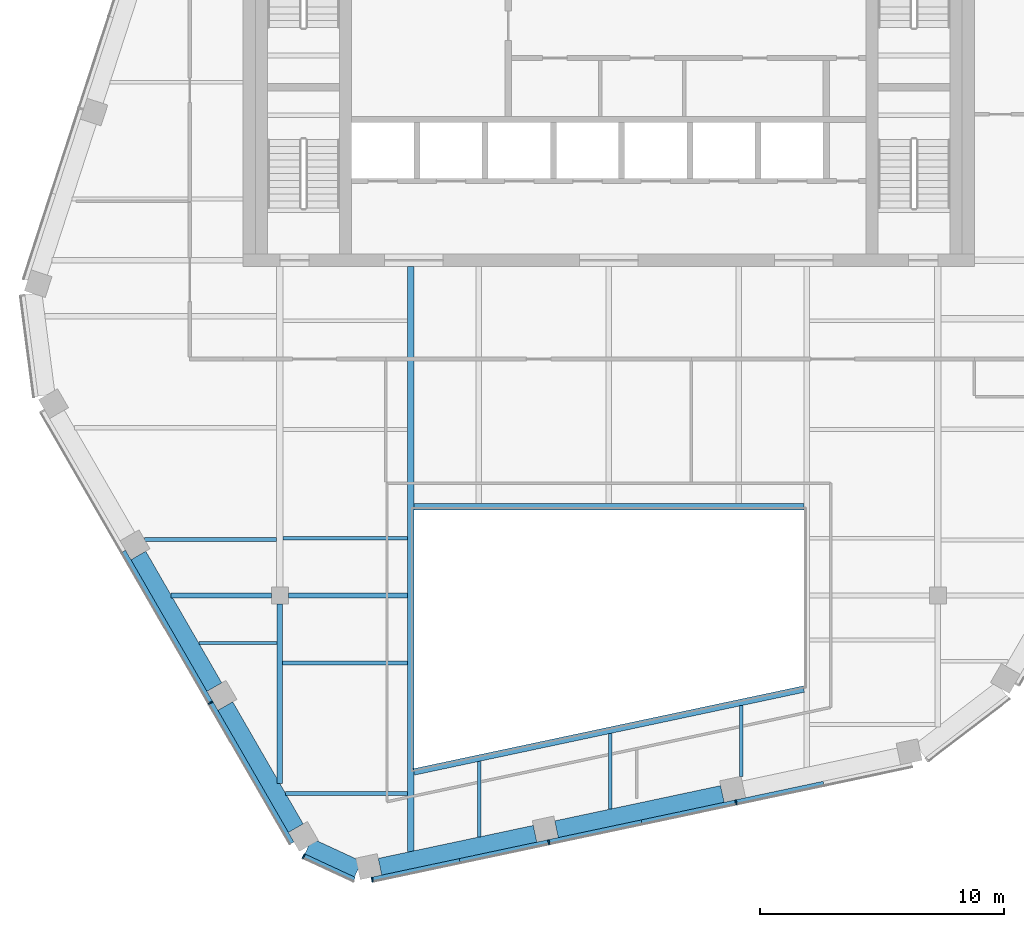
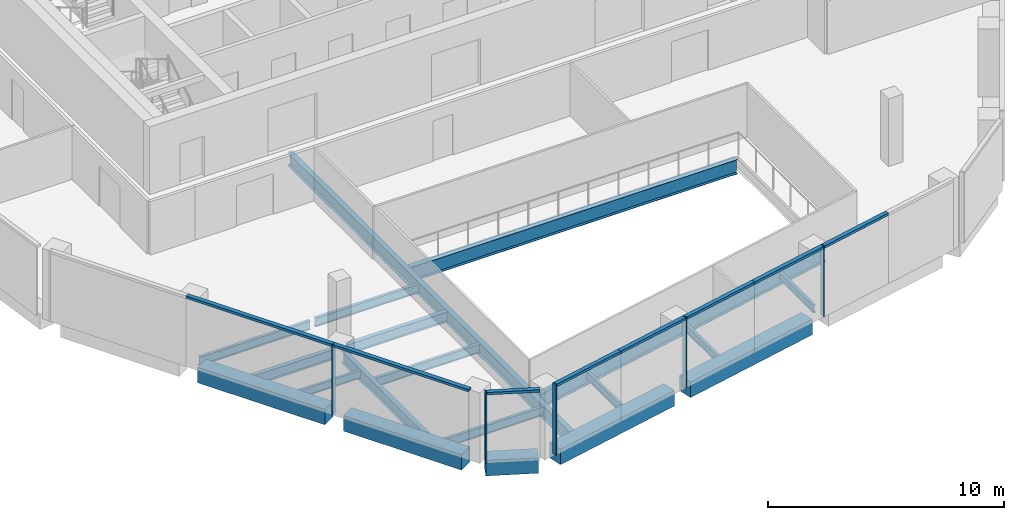
# One storey, part 2 of 15: 19 beams, 13 members, 3 elements without a shape of their own.
"""IFC4 building model written with IfcOpenShell, lengths in metres."""

from ifc_helpers import new_model, si_unit, direction, frame, origin, origin_2d, place, context, subcontext, project, spatial, rectangle, i_section, extrude, material, layer, layer_set, material_profile, profile_set, type_object, element, aggregate, save


model = new_model("IFC4")

# Units and contexts
model_context = context("Model", 3, precision=1e-05, world=origin(), true_north=direction((0.0, 1.0)))
body_context = subcontext(model_context, "Body", "Model", "MODEL_VIEW")
ifc_project = project(units=[si_unit("LENGTHUNIT", "METRE"), si_unit("AREAUNIT", "SQUARE_METRE"), si_unit("VOLUMEUNIT", "CUBIC_METRE"), si_unit("PLANEANGLEUNIT", "RADIAN"), si_unit("MASSUNIT", "GRAM", prefix="KILO")], contexts=[model_context])

# Site, building, storey
site_placement = place(None, origin())
site = spatial("IfcSite", under=ifc_project, at=site_placement, CompositionType="ELEMENT")
building_placement = place(site_placement, origin())
building = spatial("IfcBuilding", under=site, at=building_placement, Name="Isthmus Gate Tower", CompositionType="ELEMENT")
storey_placement = place(building_placement, frame((0.0, 0.0, 275.550048828125)))
storey = spatial("IfcBuildingStorey", under=building, at=storey_placement, Name="L70", CompositionType="ELEMENT", Elevation=275.550048828125)

# Curtain wall, member
ifc_material_1 = material(Name="Aluminium, pale champagne anodised", Category="aluminium")
ifc_layer = layer(ifc_material_1, 0.199951171875)
ifc_layer_set = layer_set([ifc_layer], Name="CW-1 UNITISED CURTAIN WALL 200 DEEP")
curtain_wall_type = type_object("IfcCurtainWallType", Name="CW-1 UNITISED CURTAIN WALL 200 DEEP", PredefinedType="NOTDEFINED", material=ifc_layer_set)
curtain_wall_1_placement = place(storey_placement, origin())
curtain_wall_1 = element("IfcCurtainWall", 1, at=curtain_wall_1_placement, inside=storey, type_object=curtain_wall_type, Name="CW-1 SW L70", PredefinedType="NOTDEFINED")
ifc_material_2 = material(Name="Aluminium, pale champagne anodised", Category="aluminium")
ifc_material_profile_1 = material_profile(ifc_material_2, rectangle(XDim=0.06005859375, YDim=0.199951171875, at=origin_2d()), Name="60x200")
ifc_profile_set_1 = profile_set([ifc_material_profile_1], Name="Aluminium, pale champagne anodised")
member_type_1 = type_object("IfcMemberType", Name="CW-1 MULLION 60 X 200", PredefinedType="MULLION", material=ifc_profile_set_1)
member_1_placement = place(storey_placement, frame((-16.33544921875, -17.90625, 0.0), z_axis=(0.0, 0.0, 1.0), x_axis=(0.5, -0.866025403784, 0.0)))
member_1 = element("IfcMember", 2, at=member_1_placement, type_object=member_type_1, Name="CW-1 mullion", PredefinedType="MULLION", context=body_context, shape_type="SweptSolid", body=[
    extrude(rectangle(XDim=0.06005859375, YDim=0.199951171875, at=origin_2d()), origin(), (0.0, 0.0, 1.0), 3.64990234375),
])

curtain_wall_2_placement = place(storey_placement, origin())
curtain_wall_2 = element("IfcCurtainWall", 3, at=curtain_wall_2_placement, inside=storey, type_object=curtain_wall_type, Name="CW-1 SW-S L70", PredefinedType="NOTDEFINED")
member_2_placement = place(storey_placement, frame((-12.519775390625, -24.201171875, 0.0), z_axis=(0.0, 0.0, 1.0), x_axis=(0.907256261367, -0.420578264073, 0.0)))
member_2 = element("IfcMember", 4, at=member_2_placement, type_object=member_type_1, Name="CW-1 mullion", PredefinedType="MULLION", context=body_context, shape_type="SweptSolid", body=[
    extrude(rectangle(XDim=0.06005859375, YDim=0.199951171875, at=origin_2d()), origin(), (0.0, 0.0, 1.0), 3.64990234375),
])

# Curtain wall, members
curtain_wall_3_placement = place(storey_placement, origin())
curtain_wall_3 = element("IfcCurtainWall", 5, at=curtain_wall_3_placement, inside=storey, type_object=curtain_wall_type, Name="CW-1 S L70", PredefinedType="NOTDEFINED")
member_3_placement = place(storey_placement, frame((-9.70703125, -25.16552734375, 0.0), z_axis=(0.0, 0.0, 1.0), x_axis=(0.978147600734, 0.207911690818, 0.0)))
member_3 = element("IfcMember", 6, at=member_3_placement, type_object=member_type_1, Name="CW-1 mullion", PredefinedType="MULLION", context=body_context, shape_type="SweptSolid", body=[
    extrude(rectangle(XDim=0.06005859375, YDim=0.199951171875, at=origin_2d()), origin(), (0.0, 0.0, 1.0), 3.64990234375),
])
member_4_placement = place(storey_placement, frame((-2.462158203125, -23.62548828125, 0.0), z_axis=(0.0, 0.0, 1.0), x_axis=(0.978147600734, 0.207911690818, 0.0)))
member_4 = element("IfcMember", 7, at=member_4_placement, type_object=member_type_1, Name="CW-1 mullion", PredefinedType="MULLION", context=body_context, shape_type="SweptSolid", body=[
    extrude(rectangle(XDim=0.06005859375, YDim=0.199951171875, at=origin_2d()), origin(), (0.0, 0.0, 1.0), 3.64990234375),
])
member_5_placement = place(storey_placement, frame((5.222900390625, -21.991943359375, 0.0), z_axis=(0.0, 0.0, 1.0), x_axis=(0.978147600734, 0.207911690818, 0.0)))
member_5 = element("IfcMember", 8, at=member_5_placement, type_object=member_type_1, Name="CW-1 mullion", PredefinedType="MULLION", context=body_context, shape_type="SweptSolid", body=[
    extrude(rectangle(XDim=0.06005859375, YDim=0.199951171875, at=origin_2d()), origin(), (0.0, 0.0, 1.0), 3.64990234375),
])

# Member
ifc_material_3 = material(Name="Aluminium, pale champagne anodised", Category="aluminium")
ifc_material_profile_2 = material_profile(ifc_material_3, rectangle(XDim=0.199951171875, YDim=0.1298828125, at=origin_2d()), Name="200x130")
ifc_profile_set_2 = profile_set([ifc_material_profile_2], Name="Aluminium, pale champagne anodised")
member_type_2 = type_object("IfcMemberType", Name="CW-1 TRANSOM 200 X 130", PredefinedType="USERDEFINED", material=ifc_profile_set_2)
member_6_placement = place(storey_placement, frame((-19.917724609375, -11.70166015625, 3.5849609375), z_axis=(0.500010763282, -0.866019189511, 0.0), x_axis=(0.866019189511, 0.500010763282, 0.0)))
member_6 = element("IfcMember", 9, at=member_6_placement, type_object=member_type_2, Name="CW-1 transom", ObjectType="TRANSOM", PredefinedType="USERDEFINED", context=body_context, shape_type="SweptSolid", body=[
    extrude(rectangle(XDim=0.199951171875, YDim=0.1298828125, at=origin_2d()), origin(), (0.0, 0.0, 1.0), 7.134521484375),
])

member_7_placement = place(storey_placement, frame((-16.3203125, -17.932373046875, 3.5849609375), z_axis=(0.500011702555, -0.866018647206, 0.0), x_axis=(0.866018647206, 0.500011702555, 0.0)))
member_7 = element("IfcMember", 10, at=member_7_placement, type_object=member_type_2, Name="CW-1 transom", ObjectType="TRANSOM", PredefinedType="USERDEFINED", context=body_context, shape_type="SweptSolid", body=[
    extrude(rectangle(XDim=0.199951171875, YDim=0.1298828125, at=origin_2d()), origin(), (0.0, 0.0, 1.0), 6.624267578125),
])

aggregate(curtain_wall_1, [member_6, member_1, member_7])

member_8_placement = place(storey_placement, frame((-12.49267578125, -24.213623046875, 3.5849609375), z_axis=(0.907246225564, -0.420599912268, 0.0), x_axis=(0.420599912268, 0.907246225564, 0.0)))
member_8 = element("IfcMember", 11, at=member_8_placement, type_object=member_type_2, Name="CW-1 transom", ObjectType="TRANSOM", PredefinedType="USERDEFINED", context=body_context, shape_type="SweptSolid", body=[
    extrude(rectangle(XDim=0.199951171875, YDim=0.1298828125, at=origin_2d()), origin(), (0.0, 0.0, 1.0), 2.258544921875),
])

aggregate(curtain_wall_2, [member_2, member_8])

member_9_placement = place(storey_placement, frame((-9.677734375, -25.1591796875, 3.5849609375), z_axis=(0.9781569775, 0.207867571707, 0.0), x_axis=(-0.207867571707, 0.9781569775, 0.0)))
member_9 = element("IfcMember", 12, at=member_9_placement, type_object=member_type_2, Name="CW-1 transom", ObjectType="TRANSOM", PredefinedType="USERDEFINED", context=body_context, shape_type="SweptSolid", body=[
    extrude(rectangle(XDim=0.199951171875, YDim=0.1298828125, at=origin_2d()), origin(), (0.0, 0.0, 1.0), 3.643310546875),
])

member_10_placement = place(storey_placement, frame((-6.114013671875, -24.40185546875, 3.5849609375), z_axis=(0.978146451283, 0.207917098487, 0.0), x_axis=(-0.207917098487, 0.978146451283, 0.0)))
member_10 = element("IfcMember", 13, at=member_10_placement, type_object=member_type_2, Name="CW-1 transom", ObjectType="TRANSOM", PredefinedType="USERDEFINED", context=body_context, shape_type="SweptSolid", body=[
    extrude(rectangle(XDim=0.199951171875, YDim=0.1298828125, at=origin_2d()), origin(), (0.0, 0.0, 1.0), 3.70361328125),
])

member_11_placement = place(storey_placement, frame((-2.432861328125, -23.619384765625, 3.5849609375), z_axis=(0.978140080964, 0.207947065409, 0.0), x_axis=(-0.207947065409, 0.978140080964, 0.0)))
member_11 = element("IfcMember", 14, at=member_11_placement, type_object=member_type_2, Name="CW-1 transom", ObjectType="TRANSOM", PredefinedType="USERDEFINED", context=body_context, shape_type="SweptSolid", body=[
    extrude(rectangle(XDim=0.199951171875, YDim=0.1298828125, at=origin_2d()), origin(), (0.0, 0.0, 1.0), 3.868408203125),
])

member_12_placement = place(storey_placement, frame((1.35107421875, -22.81494140625, 3.5849609375), z_axis=(0.978153006411, 0.207886257478, 0.0), x_axis=(-0.207886257478, 0.978153006411, 0.0)))
member_12 = element("IfcMember", 15, at=member_12_placement, type_object=member_type_2, Name="CW-1 transom", ObjectType="TRANSOM", PredefinedType="USERDEFINED", context=body_context, shape_type="SweptSolid", body=[
    extrude(rectangle(XDim=0.199951171875, YDim=0.1298828125, at=origin_2d()), origin(), (0.0, 0.0, 1.0), 3.928466796875),
])

member_13_placement = place(storey_placement, frame((5.25244140625, -21.98583984375, 3.5849609375), z_axis=(0.978143350472, 0.207931685724, 0.0), x_axis=(-0.207931685724, 0.978143350472, 0.0)))
member_13 = element("IfcMember", 16, at=member_13_placement, type_object=member_type_2, Name="CW-1 transom", ObjectType="TRANSOM", PredefinedType="USERDEFINED", context=body_context, shape_type="SweptSolid", body=[
    extrude(rectangle(XDim=0.199951171875, YDim=0.1298828125, at=origin_2d()), origin(), (0.0, 0.0, 1.0), 3.643310546875),
])

aggregate(curtain_wall_3, [member_3, member_9, member_10, member_4, member_11, member_12, member_5, member_13])

# Beams
ifc_material_4 = material(Name="Concrete f'c 50 MPa", Category="concrete")
ifc_material_profile_3 = material_profile(ifc_material_4, rectangle(XDim=0.699951171875, YDim=0.800048828125, at=origin_2d()), Name="RC 700X800")
ifc_profile_set_3 = profile_set([ifc_material_profile_3], Name="Concrete f'c 50 MPa")
beam_type_1 = type_object("IfcBeamType", Name="RC SPANDREL 700 X 800", PredefinedType="SPANDREL", material=ifc_profile_set_3)
beam_1_placement = place(storey_placement, frame((4.659912109375, -21.651611328125, -0.400146484375), z_axis=(-0.978143150477, -0.207932626528, 0.0), x_axis=(0.207932626528, -0.978143150477, 0.0)))
element("IfcBeam", 17, at=beam_1_placement, inside=storey, type_object=beam_type_1, Name="str-spandrel-L70-10", PredefinedType="SPANDREL", context=body_context, shape_type="SweptSolid", body=[
    extrude(rectangle(XDim=0.699951171875, YDim=0.800048828125, at=origin_2d()), origin(), (0.0, 0.0, 1.0), 6.956787109375),
])
beam_2_placement = place(storey_placement, frame((-3.025146484375, -23.28515625, -0.400146484375), z_axis=(-0.97815026796, -0.207899142108, 0.0), x_axis=(0.207899142108, -0.97815026796, 0.0)))
element("IfcBeam", 18, at=beam_2_placement, inside=storey, type_object=beam_type_1, Name="str-spandrel-L70-11", PredefinedType="SPANDREL", context=body_context, shape_type="SweptSolid", body=[
    extrude(rectangle(XDim=0.699951171875, YDim=0.800048828125, at=origin_2d()), origin(), (0.0, 0.0, 1.0), 6.5068359375),
])
beam_3_placement = place(storey_placement, frame((-10.288330078125, -24.739501953125, -0.400146484375), z_axis=(-0.907254968276, 0.42058105347, 0.0), x_axis=(-0.42058105347, -0.907254968276, 0.0)))
element("IfcBeam", 19, at=beam_3_placement, inside=storey, type_object=beam_type_1, Name="str-spandrel-L70-12", PredefinedType="SPANDREL", context=body_context, shape_type="SweptSolid", body=[
    extrude(rectangle(XDim=0.699951171875, YDim=0.800048828125, at=origin_2d()), origin(), (0.0, 0.0, 1.0), 2.245849609375),
])
beam_4_placement = place(storey_placement, frame((-12.843505859375, -23.0546875, -0.400146484375), z_axis=(-0.499961143711, 0.866047836311, 0.0), x_axis=(-0.866047836311, -0.499961143711, 0.0)))
element("IfcBeam", 20, at=beam_4_placement, inside=storey, type_object=beam_type_1, Name="str-spandrel-L70-13", PredefinedType="SPANDREL", context=body_context, shape_type="SweptSolid", body=[
    extrude(rectangle(XDim=0.699951171875, YDim=0.800048828125, at=origin_2d()), origin(), (0.0, 0.0, 1.0), 5.78466796875),
])
beam_5_placement = place(storey_placement, frame((-16.185791015625, -17.265625, -0.400146484375), z_axis=(-0.499997027648, 0.866027119866, 0.0), x_axis=(-0.866027119866, -0.499997027648, 0.0)))
element("IfcBeam", 21, at=beam_5_placement, inside=storey, type_object=beam_type_1, Name="str-spandrel-L70-14", PredefinedType="SPANDREL", context=body_context, shape_type="SweptSolid", body=[
    extrude(rectangle(XDim=0.699951171875, YDim=0.800048828125, at=origin_2d()), origin(), (0.0, 0.0, 1.0), 6.234375),
])
ifc_material_5 = material(Name="Structural steel ASTM A992 Gr 50", Category="steel")
ifc_material_profile_4 = material_profile(ifc_material_5, i_section(OverallWidth=0.1396484375, OverallDepth=0.4033203125, WebThickness=0.00634765625, FlangeThickness=0.010986328125, at=origin_2d()), Name="W16X31")
ifc_profile_set_4 = profile_set([ifc_material_profile_4], Name="Structural steel ASTM A992 Gr 50")
beam_type_2 = type_object("IfcBeamType", Name="STEEL FLOOR BEAM W16X31", PredefinedType="JOIST", material=ifc_profile_set_4)
beam_6_placement = place(storey_placement, frame((-16.824951171875, -15.45849609375, -0.3515625), z_axis=(1.0, 0.0, 0.0), x_axis=(0.0, 1.0, 0.0)))
element("IfcBeam", 22, at=beam_6_placement, inside=storey, type_object=beam_type_2, Name="str-beam-L70-02-00", PredefinedType="JOIST", context=body_context, shape_type="SweptSolid", body=[
    extrude(i_section(OverallWidth=0.1396484375, OverallDepth=0.4033203125, WebThickness=0.00634765625, FlangeThickness=0.010986328125, at=origin_2d()), origin(), (0.0, 0.0, 1.0), 3.210693359375),
])
for number, where, z_axis, x_axis, name in (
    (23, (-5.314208984375, -23.4140625, -0.3515625), (0.0, 1.0, 0.0), (-1.0, 0.0, 0.0), "str-beam-L70-05-00"),
    (24, (0.05712890625, -22.272216796875, -0.3515625), (0.0, 1.0, 0.0), (-1.0, 0.0, 0.0), "str-beam-L70-05-01"),
):
    element("IfcBeam", number, at=place(storey_placement, frame(where, z_axis=z_axis, x_axis=x_axis)), inside=storey, type_object=beam_type_2, Name=name, PredefinedType="JOIST", context=body_context, shape_type="SweptSolid", body=[
        extrude(i_section(OverallWidth=0.1396484375, OverallDepth=0.4033203125, WebThickness=0.00634765625, FlangeThickness=0.010986328125, at=origin_2d()), origin(), (0.0, 0.0, 1.0), 3.10107421875),
    ])
beam_7_placement = place(storey_placement, frame((5.428466796875, -20.939208984375, -0.3515625), z_axis=(0.0, 1.0, 0.0), x_axis=(-1.0, 0.0, 0.0)))
element("IfcBeam", 25, at=beam_7_placement, inside=storey, type_object=beam_type_2, Name="str-beam-L70-05-02", PredefinedType="JOIST", context=body_context, shape_type="SweptSolid", body=[
    extrude(i_section(OverallWidth=0.1396484375, OverallDepth=0.4033203125, WebThickness=0.00634765625, FlangeThickness=0.010986328125, at=origin_2d()), origin(), (0.0, 0.0, 1.0), 2.909912109375),
])
ifc_material_6 = material(Name="Structural steel ASTM A992 Gr 50", Category="steel")
ifc_material_profile_5 = material_profile(ifc_material_6, i_section(OverallWidth=0.15234375, OverallDepth=0.45068359375, WebThickness=0.0078125, FlangeThickness=0.010986328125, at=origin_2d()), Name="W18X35")
ifc_profile_set_5 = profile_set([ifc_material_profile_5], Name="Structural steel ASTM A992 Gr 50")
beam_type_3 = type_object("IfcBeamType", Name="STEEL FLOOR BEAM W18X35", PredefinedType="JOIST", material=ifc_profile_set_5)
beam_8_placement = place(storey_placement, frame((-19.0478515625, -11.208251953125, -0.37548828125), z_axis=(1.0, 0.0, 0.0), x_axis=(0.0, 1.0, 0.0)))
element("IfcBeam", 26, at=beam_8_placement, inside=storey, type_object=beam_type_3, Name="str-beam-L70-01-00", PredefinedType="JOIST", context=body_context, shape_type="SweptSolid", body=[
    extrude(i_section(OverallWidth=0.15234375, OverallDepth=0.45068359375, WebThickness=0.0078125, FlangeThickness=0.010986328125, at=origin_2d()), origin(), (0.0, 0.0, 1.0), 5.416015625),
])
beam_9_placement = place(storey_placement, frame((-13.3681640625, -11.16259765625, -0.37548828125), z_axis=(1.0, 0.0, 0.0), x_axis=(0.0, 1.0, 0.0)))
element("IfcBeam", 27, at=beam_9_placement, inside=storey, type_object=beam_type_3, Name="str-beam-L70-03-00", PredefinedType="JOIST", context=body_context, shape_type="SweptSolid", body=[
    extrude(i_section(OverallWidth=0.15234375, OverallDepth=0.45068359375, WebThickness=0.0078125, FlangeThickness=0.010986328125, at=origin_2d()), origin(), (0.0, 0.0, 1.0), 5.1142578125),
])
beam_10_placement = place(storey_placement, frame((-13.2587890625, -21.635009765625, -0.37548828125), z_axis=(1.0, 0.0, 0.0), x_axis=(0.0, 1.0, 0.0)))
element("IfcBeam", 28, at=beam_10_placement, inside=storey, type_object=beam_type_3, Name="str-beam-L70-04-00", PredefinedType="JOIST", context=body_context, shape_type="SweptSolid", body=[
    extrude(i_section(OverallWidth=0.15234375, OverallDepth=0.45068359375, WebThickness=0.0078125, FlangeThickness=0.010986328125, at=origin_2d()), origin(), (0.0, 0.0, 1.0), 5.0048828125),
])
beam_11_placement = place(storey_placement, frame((-13.3857421875, -16.281494140625, -0.37548828125), z_axis=(1.0, 0.0, 0.0), x_axis=(0.0, 1.0, 0.0)))
element("IfcBeam", 29, at=beam_11_placement, inside=storey, type_object=beam_type_3, Name="str-beam-L70-04-01", PredefinedType="JOIST", context=body_context, shape_type="SweptSolid", body=[
    extrude(i_section(OverallWidth=0.15234375, OverallDepth=0.45068359375, WebThickness=0.0078125, FlangeThickness=0.010986328125, at=origin_2d()), origin(), (0.0, 0.0, 1.0), 5.1318359375),
])
ifc_material_7 = material(Name="Structural steel ASTM A992 Gr 50", Category="steel")
ifc_material_profile_6 = material_profile(ifc_material_7, i_section(OverallWidth=0.20947265625, OverallDepth=0.533447265625, WebThickness=0.009521484375, FlangeThickness=0.015869140625, at=origin_2d()), Name="W21X62")
ifc_profile_set_6 = profile_set([ifc_material_profile_6], Name="Structural steel ASTM A992 Gr 50")
beam_type_4 = type_object("IfcBeamType", Name="STEEL GIRDER W21X62", PredefinedType="BEAM", material=ifc_profile_set_6)
beam_12_placement = place(storey_placement, frame((-17.95556640625, -13.5, -0.416748046875), z_axis=(1.0, 0.0, 0.0), x_axis=(0.0, 1.0, 0.0)))
element("IfcBeam", 30, at=beam_12_placement, inside=storey, type_object=beam_type_4, Name="str-girder-L70-01", PredefinedType="BEAM", context=body_context, shape_type="SweptSolid", body=[
    extrude(i_section(OverallWidth=0.20947265625, OverallDepth=0.533447265625, WebThickness=0.009521484375, FlangeThickness=0.015869140625, at=origin_2d()), origin(), (0.0, 0.0, 1.0), 4.10546875),
])
beam_13_placement = place(storey_placement, frame((-13.14990234375, -13.5, -0.416748046875), z_axis=(1.0, 0.0, 0.0), x_axis=(0.0, 1.0, 0.0)))
element("IfcBeam", 31, at=beam_13_placement, inside=storey, type_object=beam_type_4, Name="str-girder-L70-02", PredefinedType="BEAM", context=body_context, shape_type="SweptSolid", body=[
    extrude(i_section(OverallWidth=0.20947265625, OverallDepth=0.533447265625, WebThickness=0.009521484375, FlangeThickness=0.015869140625, at=origin_2d()), origin(), (0.0, 0.0, 1.0), 4.89599609375),
])
ifc_material_8 = material(Name="Structural steel ASTM A992 Gr 50", Category="steel")
ifc_material_profile_7 = material_profile(ifc_material_8, i_section(OverallWidth=0.228515625, OverallDepth=0.603271484375, WebThickness=0.010986328125, FlangeThickness=0.014404296875, at=origin_2d()), Name="W24X68")
ifc_profile_set_7 = profile_set([ifc_material_profile_7], Name="Structural steel ASTM A992 Gr 50")
beam_type_5 = type_object("IfcBeamType", Name="STEEL GIRDER W24X68", PredefinedType="BEAM", material=ifc_profile_set_7)
beam_14_placement = place(storey_placement, frame((-13.5, -21.21728515625, -0.45166015625), z_axis=(0.0, 1.0, 0.0), x_axis=(-1.0, 0.0, 0.0)))
element("IfcBeam", 32, at=beam_14_placement, inside=storey, type_object=beam_type_5, Name="str-girder-L70-05", PredefinedType="BEAM", context=body_context, shape_type="SweptSolid", body=[
    extrude(i_section(OverallWidth=0.228515625, OverallDepth=0.603271484375, WebThickness=0.010986328125, FlangeThickness=0.014404296875, at=origin_2d()), origin(), (0.0, 0.0, 1.0), 7.3671875),
])
ifc_material_9 = material(Name="Structural steel ASTM A992 Gr 50", Category="steel")
ifc_material_profile_8 = material_profile(ifc_material_9, i_section(OverallWidth=0.25390625, OverallDepth=0.679443359375, WebThickness=0.010986328125, FlangeThickness=0.015869140625, at=origin_2d()), Name="W27X84")
ifc_profile_set_8 = profile_set([ifc_material_profile_8], Name="Structural steel ASTM A992 Gr 50")
beam_type_6 = type_object("IfcBeamType", Name="STEEL TRIMMER W27X84", PredefinedType="BEAM", material=ifc_profile_set_8)
beam_15_placement = place(storey_placement, frame((-8.126953125, 0.0, -0.48974609375), z_axis=(0.0, -1.0, 0.0), x_axis=(1.0, 0.0, 0.0)))
element("IfcBeam", 33, at=beam_15_placement, inside=storey, type_object=beam_type_6, Name="str-trimmer-L70-02", PredefinedType="BEAM", context=body_context, shape_type="SweptSolid", body=[
    extrude(i_section(OverallWidth=0.25390625, OverallDepth=0.679443359375, WebThickness=0.010986328125, FlangeThickness=0.015869140625, at=origin_2d()), origin(), (0.0, 0.0, 1.0), 24.01171875),
])
ifc_material_10 = material(Name="Structural steel ASTM A992 Gr 50", Category="steel")
ifc_material_profile_9 = material_profile(ifc_material_10, i_section(OverallWidth=0.2666015625, OverallDepth=0.7587890625, WebThickness=0.014404296875, FlangeThickness=0.01904296875, at=origin_2d()), Name="W30X108")
ifc_profile_set_9 = profile_set([ifc_material_profile_9], Name="Structural steel ASTM A992 Gr 50")
beam_type_7 = type_object("IfcBeamType", Name="STEEL TRIMMER W30X108", PredefinedType="BEAM", material=ifc_profile_set_9)
beam_16_placement = place(storey_placement, frame((-8.0, -20.747314453125, -0.529541015625), z_axis=(0.978147924985, 0.20791016533, 0.0), x_axis=(-0.20791016533, 0.978147924985, 0.0)))
element("IfcBeam", 34, at=beam_16_placement, inside=storey, type_object=beam_type_7, Name="str-trimmer-L70-03", PredefinedType="BEAM", context=body_context, shape_type="SweptSolid", body=[
    extrude(i_section(OverallWidth=0.2666015625, OverallDepth=0.7587890625, WebThickness=0.014404296875, FlangeThickness=0.01904296875, at=origin_2d()), origin(), (0.0, 0.0, 1.0), 16.357421875),
])
beam_17_placement = place(storey_placement, frame((8.0, -9.86669921875, -0.529541015625), z_axis=(-1.0, 0.0, 0.0), x_axis=(0.0, -1.0, 0.0)))
element("IfcBeam", 35, at=beam_17_placement, inside=storey, type_object=beam_type_7, Name="str-trimmer-L70-04", PredefinedType="BEAM", context=body_context, shape_type="SweptSolid", body=[
    extrude(i_section(OverallWidth=0.2666015625, OverallDepth=0.7587890625, WebThickness=0.014404296875, FlangeThickness=0.01904296875, at=origin_2d()), origin(), (0.0, 0.0, 1.0), 16.0),
])

save(model, "model.ifc")
